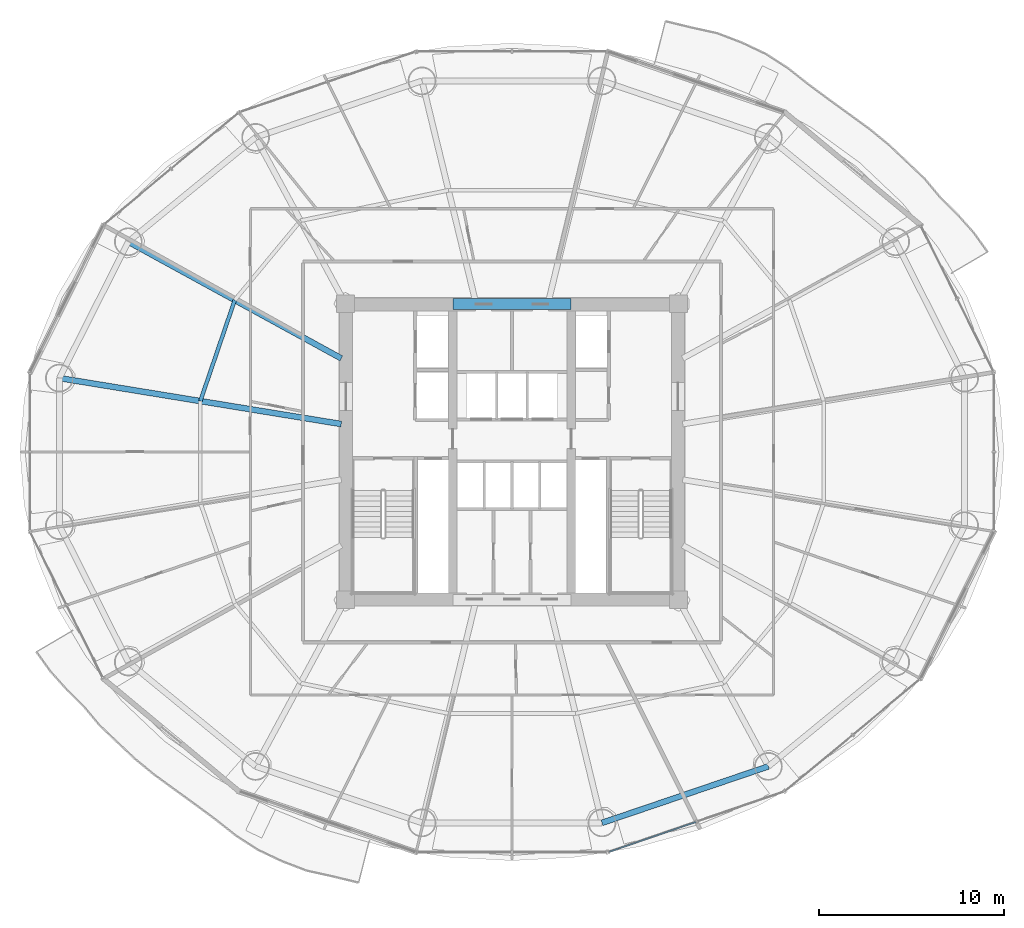
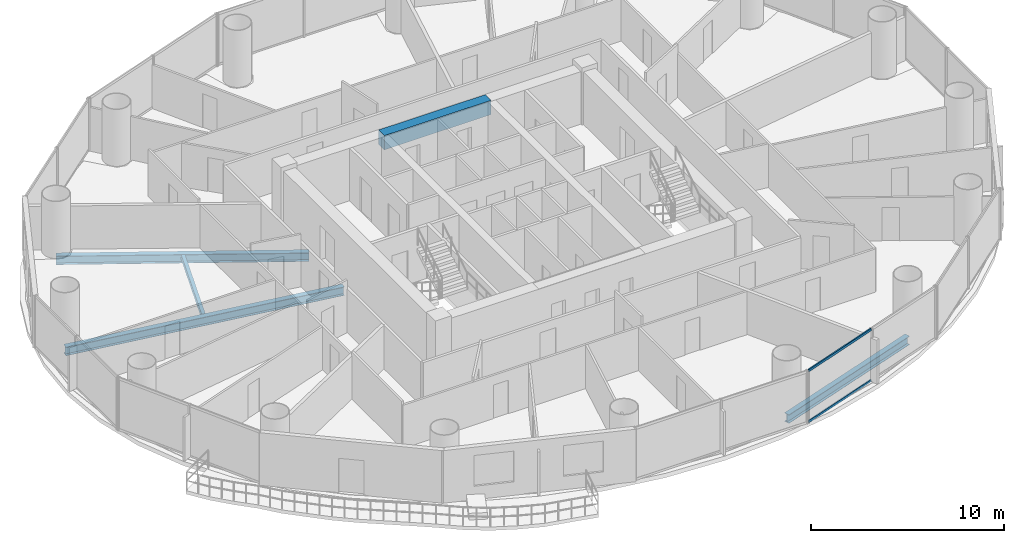
# One storey, part 9 of 28: 5 beams, 2 members, 1 element without a shape of its own.
"""IFC4 building model written with IfcOpenShell, lengths in metres."""

from ifc_helpers import new_model, si_unit, direction, frame, origin, origin_2d, place, context, subcontext, project, spatial, rectangle, hollow_rectangle, i_section, extrude, source, transform, mapped, material, material_profile, profile_set, type_object, element, aggregate, save


model = new_model("IFC4")

# Units and contexts
model_context = context("Model", 3, precision=1e-05, world=origin(), true_north=direction((-0.2419218956, 0.970295726276)))
body_context = subcontext(model_context, "Body", "Model", "MODEL_VIEW")
ifc_project = project(units=[si_unit("LENGTHUNIT", "METRE"), si_unit("AREAUNIT", "SQUARE_METRE"), si_unit("VOLUMEUNIT", "CUBIC_METRE"), si_unit("PLANEANGLEUNIT", "RADIAN"), si_unit("MASSUNIT", "GRAM", prefix="KILO")], contexts=[model_context])

# Site, building, storey
site_placement = place(None, origin())
site = spatial("IfcSite", under=ifc_project, at=site_placement, CompositionType="ELEMENT")
building_placement = place(site_placement, origin())
building = spatial("IfcBuilding", under=site, at=building_placement, Name="Cobrevalo Terracotta Tower", CompositionType="ELEMENT")
storey_placement = place(building_placement, frame((0.0, 0.0, 105.0)))
storey = spatial("IfcBuildingStorey", under=building, at=storey_placement, Name="L27", CompositionType="ELEMENT", Elevation=105.0)

# Beams
ifc_material_1 = material(Name="Concrete C60", Category="concrete")
ifc_material_profile_1 = material_profile(ifc_material_1, rectangle(XDim=0.60009765625, YDim=0.89990234375, at=origin_2d()), Name="RC CB 600x900")
ifc_profile_set_1 = profile_set([ifc_material_profile_1], Name="Concrete C60")
beam_type_1 = type_object("IfcBeamType", Name="Structural Beam RC CB 600x900 (Concrete C60)", PredefinedType="BEAM", material=ifc_profile_set_1)
beam_1_placement = place(storey_placement, frame((34.800048828125, 34.800048828125, 2.875), z_axis=(1.0, 0.0, 0.0), x_axis=(0.0, 1.0, 0.0)))
element("IfcBeam", 1, at=beam_1_placement, inside=storey, type_object=beam_type_1, Name="L27 core coupling beam 2", PredefinedType="BEAM", context=body_context, shape_type="SweptSolid", body=[
    extrude(rectangle(XDim=0.60009765625, YDim=0.89990234375, at=origin_2d()), origin(), (0.0, 0.0, 1.0), 6.39990234375),
])
ifc_material_2 = material(Name="Steel S355", Category="steel")
ifc_material_profile_2 = material_profile(ifc_material_2, i_section(OverallWidth=0.31201171875, OverallDepth=0.54296875, WebThickness=0.0126953125, FlangeThickness=0.020263671875, at=origin_2d()), Name="W 530x150")
ifc_profile_set_2 = profile_set([ifc_material_profile_2], Name="Steel S355")
beam_type_2 = type_object("IfcBeamType", Name="Structural Beam W 530x150 (Steel S355)", PredefinedType="BEAM", material=ifc_profile_set_2)
beam_2_placement = place(storey_placement, frame((17.2548828125, 38.161376953125, -0.54638671875), z_axis=(0.877080599376, -0.480343233738, 0.0), x_axis=(0.480343233738, 0.877080599376, 0.0)))
element("IfcBeam", 2, at=beam_2_placement, inside=storey, type_object=beam_type_2, Name="L27 radial floor girder 07", PredefinedType="BEAM", context=body_context, shape_type="SweptSolid", body=[
    extrude(i_section(OverallWidth=0.31201171875, OverallDepth=0.54296875, WebThickness=0.0126953125, FlangeThickness=0.020263671875, at=origin_2d()), origin(), (0.0, 0.0, 1.0), 13.12890625),
])
beam_3_placement = place(storey_placement, frame((13.529296875, 30.78955078125, -0.54638671875), z_axis=(0.986970567439, -0.160900898101, 0.0), x_axis=(0.160900898101, 0.986970567439, 0.0)))
element("IfcBeam", 3, at=beam_3_placement, inside=storey, type_object=beam_type_2, Name="L27 radial floor girder 08", PredefinedType="BEAM", context=body_context, shape_type="SweptSolid", body=[
    extrude(i_section(OverallWidth=0.31201171875, OverallDepth=0.54296875, WebThickness=0.0126953125, FlangeThickness=0.020263671875, at=origin_2d()), origin(), (0.0, 0.0, 1.0), 15.44189453125),
])
ifc_material_profile_3 = material_profile(ifc_material_2, i_section(OverallWidth=0.2041015625, OverallDepth=0.305908203125, WebThickness=0.008544921875, FlangeThickness=0.0146484375, at=origin_2d()), Name="W 310x67")
ifc_profile_set_3 = profile_set([ifc_material_profile_3], Name="Steel S355")
beam_type_3 = type_object("IfcBeamType", Name="Structural Joist W 310x67 (Steel S355)", PredefinedType="JOIST", material=ifc_profile_set_3)
beam_4_placement = place(storey_placement, frame((23.012451171875, 35.00830078125, -0.427978515625), z_axis=(-0.322833299398, -0.94645584197, 0.0), x_axis=(0.94645584197, -0.322833299398, 0.0)))
element("IfcBeam", 4, at=beam_4_placement, inside=storey, type_object=beam_type_3, Name="L27 circumferential secondary floor joist 07", PredefinedType="JOIST", context=body_context, shape_type="SweptSolid", body=[
    extrude(i_section(OverallWidth=0.2041015625, OverallDepth=0.305908203125, WebThickness=0.008544921875, FlangeThickness=0.0146484375, at=origin_2d()), origin(), (0.0, 0.0, 1.0), 5.77001953125),
])
ifc_material_profile_4 = material_profile(ifc_material_2, i_section(OverallWidth=0.31201171875, OverallDepth=0.54296875, WebThickness=0.0126953125, FlangeThickness=0.020263671875, at=origin_2d()), Name="W 530x150")
ifc_profile_set_4 = profile_set([ifc_material_profile_4], Name="Steel S355")
beam_type_4 = type_object("IfcBeamType", Name="Structural Spandrel W 530x150 (Steel S355)", PredefinedType="SPANDREL", material=ifc_profile_set_4)
beam_5_placement = place(storey_placement, frame((42.867431640625, 6.742919921875, -0.54638671875), z_axis=(0.94691835344, 0.321474154356, 0.0), x_axis=(-0.321474154356, 0.94691835344, 0.0)))
element("IfcBeam", 5, at=beam_5_placement, inside=storey, type_object=beam_type_4, Name="L27 perimeter ring spandrel 13", PredefinedType="SPANDREL", context=body_context, shape_type="SweptSolid", body=[
    extrude(i_section(OverallWidth=0.31201171875, OverallDepth=0.54296875, WebThickness=0.0126953125, FlangeThickness=0.020263671875, at=origin_2d()), origin(), (0.0, 0.0, 1.0), 9.498291015625),
])

# Curtain wall, members
ifc_material_3 = material(Name="Anodized aluminium", Category="aluminium")
curtain_wall_type = type_object("IfcCurtainWallType", Name="Lower-tower unitised acoustic low-E curtain wall CW-U1", PredefinedType="NOTDEFINED", material=ifc_material_3)
curtain_wall_placement = place(storey_placement, origin())
curtain_wall = element("IfcCurtainWall", 6, at=curtain_wall_placement, inside=storey, type_object=curtain_wall_type, Name="L27 curtain wall CW-L27-S13", PredefinedType="NOTDEFINED")
ifc_material_profile_5 = material_profile(ifc_material_3, hollow_rectangle(XDim=0.074951171875, YDim=0.14990234375, WallThickness=0.00439453125, at=origin_2d()), Name="CWT 75x150")
ifc_profile_set_5 = profile_set([ifc_material_profile_5], Name="Anodized aluminium")
member_type = type_object("IfcMemberType", Name="Tower unitised aluminium transom 75x150", PredefinedType="USERDEFINED", material=ifc_profile_set_5)
shared_shape = source(origin(), body_context, "Body", "SweptSolid", [
    extrude(hollow_rectangle(XDim=0.074951171875, YDim=0.14990234375, WallThickness=0.00439453125, at=origin_2d()), origin(), (0.0, 0.0, 1.0), 4.944580078125),
])
member_1_placement = place(storey_placement, frame((43.25927734375, 5.18017578125, 0.050048828125), z_axis=(0.945597859971, 0.32533780478, 0.0), x_axis=(-0.32533780478, 0.945597859971, 0.0)))
member_1 = element("IfcMember", 7, at=member_1_placement, type_object=member_type, Name="CW-L27-S13 transom B01-T1", ObjectType="TRANSOM", PredefinedType="USERDEFINED", context=body_context, shape_type="MappedRepresentation", body=[
    mapped(shared_shape, transform((0.0, 0.0, 0.0), scale=1.0)),
])
member_2_placement = place(storey_placement, frame((43.25927734375, 5.18017578125, 3.27490234375), z_axis=(0.945597859971, 0.32533780478, 0.0), x_axis=(-0.32533780478, 0.945597859971, 0.0)))
member_2 = element("IfcMember", 8, at=member_2_placement, type_object=member_type, Name="CW-L27-S13 transom B01-T2", ObjectType="TRANSOM", PredefinedType="USERDEFINED", context=body_context, shape_type="MappedRepresentation", body=[
    mapped(shared_shape, transform((0.0, 0.0, 0.0), scale=1.0)),
])
aggregate(curtain_wall, [member_1, member_2])

save(model, "model.ifc")
